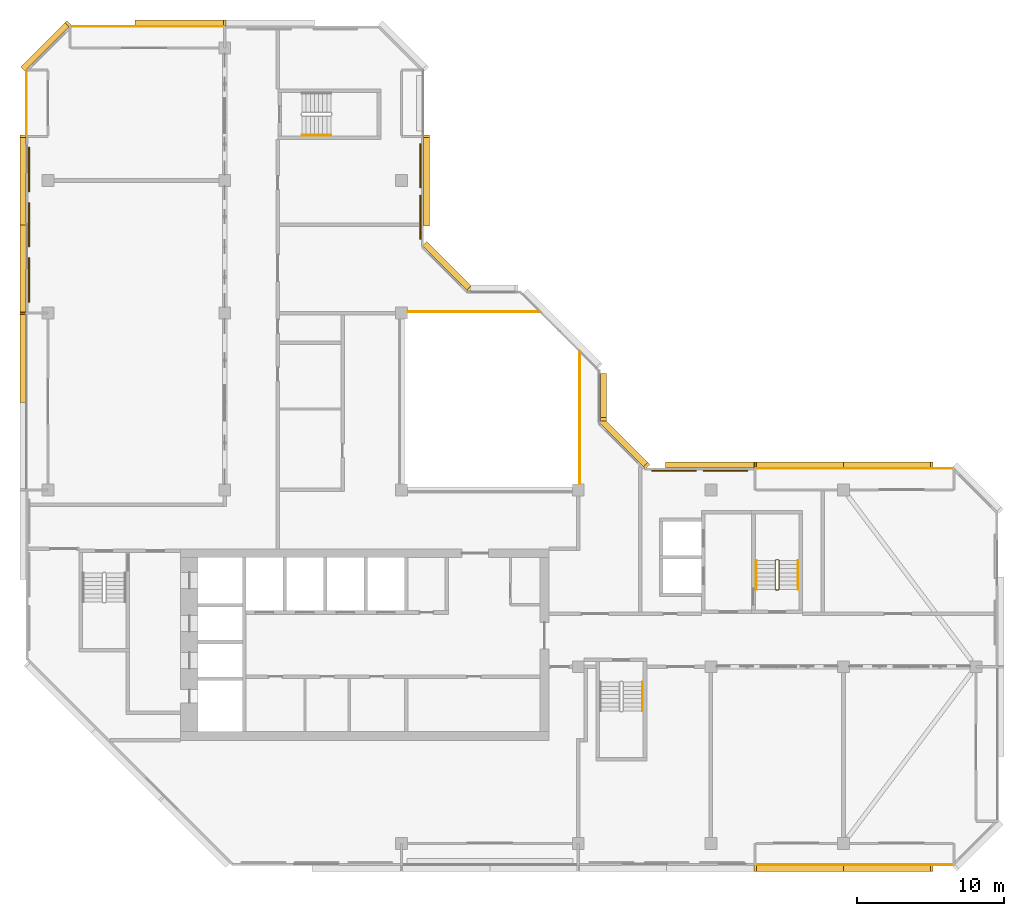
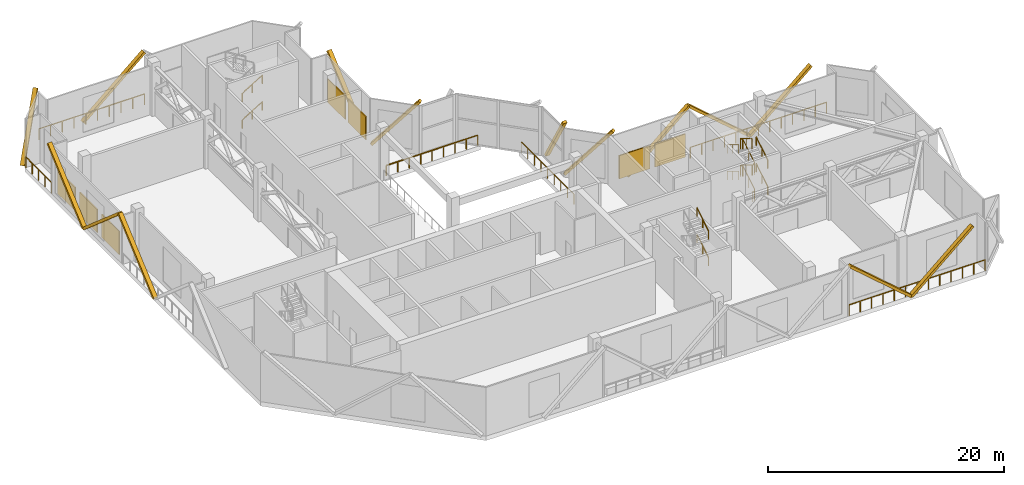
# One storey, part 12 of 13: 15 railings, 14 coverings, 7 shading devices.
"""IFC4 building model written with IfcOpenShell, lengths in metres."""

from ifc_helpers import new_model, si_unit, direction, frame, origin, origin_2d, place, context, subcontext, project, spatial, rectangle, extrude, material, material_profile, profile_set, type_object, element, save


model = new_model("IFC4")

# Units and contexts
model_context = context("Model", 3, precision=1e-05, world=origin(), true_north=direction((0.0, 1.0)))
body_context = subcontext(model_context, "Body", "Model", "MODEL_VIEW")
ifc_project = project(units=[si_unit("LENGTHUNIT", "METRE"), si_unit("AREAUNIT", "SQUARE_METRE"), si_unit("VOLUMEUNIT", "CUBIC_METRE"), si_unit("PLANEANGLEUNIT", "RADIAN"), si_unit("MASSUNIT", "GRAM", prefix="KILO")], contexts=[model_context])

# Site, building, storey
site_placement = place(None, origin())
site = spatial("IfcSite", under=ifc_project, at=site_placement, CompositionType="ELEMENT")
building_placement = place(site_placement, origin())
building = spatial("IfcBuilding", under=site, at=building_placement, Name="Chenar Terraces", CompositionType="ELEMENT")
storey_placement = place(building_placement, frame((0.0, 0.0, 322.14990234375)))
storey = spatial("IfcBuildingStorey", under=building, at=storey_placement, Name="L76", CompositionType="ELEMENT", Elevation=322.14990234375)

# Railings
ifc_material_1 = material(Name="Powder-coated steel", Category="steel")
railing_type_1 = type_object("IfcRailingType", Name="Guard 1100 steel rail with glass infill", PredefinedType="GUARDRAIL", material=ifc_material_1)
railing_1_placement = place(storey_placement, frame((24.449951171875, 36.10009765625, 0.0)))
element("IfcRailing", 1, at=railing_1_placement, inside=storey, type_object=railing_type_1, Name="Guard L76-2", PredefinedType="GUARDRAIL", context=body_context, shape_type="SweptSolid", body=[
    extrude(rectangle(XDim=0.06005859375, YDim=0.06005859375, at=origin_2d()), frame((0.0, 0.0, 1.070068359375), z_axis=(1.0, 0.0, 0.0), x_axis=(0.0, 1.0, 0.0)), (0.0, 0.0, 1.0), 8.949951171875),
    extrude(rectangle(XDim=0.050048828125, YDim=0.050048828125, at=origin_2d()), origin(), (0.0, 0.0, 1.0), 1.0400390625),
    extrude(rectangle(XDim=0.050048828125, YDim=0.050048828125, at=origin_2d()), frame((1.11865234375, 0.0, 0.0)), (0.0, 0.0, 1.0), 1.0400390625),
    extrude(rectangle(XDim=0.050048828125, YDim=0.050048828125, at=origin_2d()), frame((2.237548828125, 0.0, 0.0)), (0.0, 0.0, 1.0), 1.0400390625),
    extrude(rectangle(XDim=0.050048828125, YDim=0.050048828125, at=origin_2d()), frame((3.356201171875, 0.0, 0.0)), (0.0, 0.0, 1.0), 1.0400390625),
    extrude(rectangle(XDim=0.050048828125, YDim=0.050048828125, at=origin_2d()), frame((4.47509765625, 0.0, 0.0)), (0.0, 0.0, 1.0), 1.0400390625),
    extrude(rectangle(XDim=0.050048828125, YDim=0.050048828125, at=origin_2d()), frame((5.59375, 0.0, 0.0)), (0.0, 0.0, 1.0), 1.0400390625),
    extrude(rectangle(XDim=0.050048828125, YDim=0.050048828125, at=origin_2d()), frame((6.71240234375, 0.0, 0.0)), (0.0, 0.0, 1.0), 1.0400390625),
    extrude(rectangle(XDim=0.050048828125, YDim=0.050048828125, at=origin_2d()), frame((7.831298828125, 0.0, 0.0)), (0.0, 0.0, 1.0), 1.0400390625),
    extrude(rectangle(XDim=0.050048828125, YDim=0.050048828125, at=origin_2d()), frame((8.949951171875, 0.0, 0.0)), (0.0, 0.0, 1.0), 1.0400390625),
])
railing_2_placement = place(storey_placement, frame((36.10009765625, 24.449951171875, 0.0)))
element("IfcRailing", 2, at=railing_2_placement, inside=storey, type_object=railing_type_1, Name="Guard L76-3", PredefinedType="GUARDRAIL", context=body_context, shape_type="SweptSolid", body=[
    extrude(rectangle(XDim=0.06005859375, YDim=0.06005859375, at=origin_2d()), frame((0.0, 0.0, 1.070068359375), z_axis=(0.0, 1.0, 0.0), x_axis=(-1.0, 0.0, 0.0)), (0.0, 0.0, 1.0), 8.949951171875),
    extrude(rectangle(XDim=0.050048828125, YDim=0.050048828125, at=origin_2d()), origin(), (0.0, 0.0, 1.0), 1.0400390625),
    extrude(rectangle(XDim=0.050048828125, YDim=0.050048828125, at=origin_2d()), frame((0.0, 1.11865234375, 0.0)), (0.0, 0.0, 1.0), 1.0400390625),
    extrude(rectangle(XDim=0.050048828125, YDim=0.050048828125, at=origin_2d()), frame((0.0, 2.237548828125, 0.0)), (0.0, 0.0, 1.0), 1.0400390625),
    extrude(rectangle(XDim=0.050048828125, YDim=0.050048828125, at=origin_2d()), frame((0.0, 3.356201171875, 0.0)), (0.0, 0.0, 1.0), 1.0400390625),
    extrude(rectangle(XDim=0.050048828125, YDim=0.050048828125, at=origin_2d()), frame((0.0, 4.47509765625, 0.0)), (0.0, 0.0, 1.0), 1.0400390625),
    extrude(rectangle(XDim=0.050048828125, YDim=0.050048828125, at=origin_2d()), frame((0.0, 5.59375, 0.0)), (0.0, 0.0, 1.0), 1.0400390625),
    extrude(rectangle(XDim=0.050048828125, YDim=0.050048828125, at=origin_2d()), frame((0.0, 6.71240234375, 0.0)), (0.0, 0.0, 1.0), 1.0400390625),
    extrude(rectangle(XDim=0.050048828125, YDim=0.050048828125, at=origin_2d()), frame((0.0, 7.831298828125, 0.0)), (0.0, 0.0, 1.0), 1.0400390625),
    extrude(rectangle(XDim=0.050048828125, YDim=0.050048828125, at=origin_2d()), frame((0.0, 8.949951171875, 0.0)), (0.0, 0.0, 1.0), 1.0400390625),
])
ifc_material_2 = material(Name="Stainless steel and glass", Category="steel")
railing_type_2 = type_object("IfcRailingType", Name="Loggia guard 1150", PredefinedType="GUARDRAIL", material=ifc_material_2)
railing_3_placement = place(storey_placement, frame((61.425048828125, 25.449951171875, 0.0)))
element("IfcRailing", 3, at=railing_3_placement, inside=storey, type_object=railing_type_2, Name="Loggia guard", PredefinedType="GUARDRAIL", context=body_context, shape_type="SweptSolid", body=[
    extrude(rectangle(XDim=0.048095703125, YDim=0.048095703125, at=origin_2d()), frame((0.0, 0.0, 1.1259765625), z_axis=(-1.0, 0.0, 0.0), x_axis=(0.0, -1.0, 0.0)), (0.0, 0.0, 1.0), 13.35009765625),
    extrude(rectangle(XDim=0.0419921875, YDim=0.0419921875, at=origin_2d()), origin(), (0.0, 0.0, 1.0), 1.101806640625),
    extrude(rectangle(XDim=0.0419921875, YDim=0.0419921875, at=origin_2d()), frame((-1.112548828125, 0.0, 0.0)), (0.0, 0.0, 1.0), 1.101806640625),
    extrude(rectangle(XDim=0.0419921875, YDim=0.0419921875, at=origin_2d()), frame((-2.22509765625, 0.0, 0.0)), (0.0, 0.0, 1.0), 1.101806640625),
    extrude(rectangle(XDim=0.0419921875, YDim=0.0419921875, at=origin_2d()), frame((-3.33740234375, 0.0, 0.0)), (0.0, 0.0, 1.0), 1.101806640625),
    extrude(rectangle(XDim=0.0419921875, YDim=0.0419921875, at=origin_2d()), frame((-4.449951171875, 0.0, 0.0)), (0.0, 0.0, 1.0), 1.101806640625),
    extrude(rectangle(XDim=0.0419921875, YDim=0.0419921875, at=origin_2d()), frame((-5.5625, 0.0, 0.0)), (0.0, 0.0, 1.0), 1.101806640625),
    extrude(rectangle(XDim=0.0419921875, YDim=0.0419921875, at=origin_2d()), frame((-6.675048828125, 0.0, 0.0)), (0.0, 0.0, 1.0), 1.101806640625),
    extrude(rectangle(XDim=0.0419921875, YDim=0.0419921875, at=origin_2d()), frame((-7.78759765625, 0.0, 0.0)), (0.0, 0.0, 1.0), 1.101806640625),
    extrude(rectangle(XDim=0.0419921875, YDim=0.0419921875, at=origin_2d()), frame((-8.900146484375, 0.0, 0.0)), (0.0, 0.0, 1.0), 1.101806640625),
    extrude(rectangle(XDim=0.0419921875, YDim=0.0419921875, at=origin_2d()), frame((-10.0126953125, 0.0, 0.0)), (0.0, 0.0, 1.0), 1.101806640625),
    extrude(rectangle(XDim=0.0419921875, YDim=0.0419921875, at=origin_2d()), frame((-11.125, 0.0, 0.0)), (0.0, 0.0, 1.0), 1.101806640625),
    extrude(rectangle(XDim=0.0419921875, YDim=0.0419921875, at=origin_2d()), frame((-12.237548828125, 0.0, 0.0)), (0.0, 0.0, 1.0), 1.101806640625),
    extrude(rectangle(XDim=0.0419921875, YDim=0.0419921875, at=origin_2d()), frame((-13.35009765625, 0.0, 0.0)), (0.0, 0.0, 1.0), 1.101806640625),
])
railing_4_placement = place(storey_placement, frame((11.925048828125, 55.449951171875, 0.0)))
element("IfcRailing", 4, at=railing_4_placement, inside=storey, type_object=railing_type_2, Name="Loggia guard", PredefinedType="GUARDRAIL", context=body_context, shape_type="SweptSolid", body=[
    extrude(rectangle(XDim=0.048095703125, YDim=0.048095703125, at=origin_2d()), frame((0.0, 0.0, 1.1259765625), z_axis=(-1.0, 0.0, 0.0), x_axis=(0.0, -1.0, 0.0)), (0.0, 0.0, 1.0), 10.35009765625),
    extrude(rectangle(XDim=0.0419921875, YDim=0.0419921875, at=origin_2d()), origin(), (0.0, 0.0, 1.0), 1.101806640625),
    extrude(rectangle(XDim=0.0419921875, YDim=0.0419921875, at=origin_2d()), frame((-1.14990234375, 0.0, 0.0)), (0.0, 0.0, 1.0), 1.101806640625),
    extrude(rectangle(XDim=0.0419921875, YDim=0.0419921875, at=origin_2d()), frame((-2.300048828125, 0.0, 0.0)), (0.0, 0.0, 1.0), 1.101806640625),
    extrude(rectangle(XDim=0.0419921875, YDim=0.0419921875, at=origin_2d()), frame((-3.449951171875, 0.0, 0.0)), (0.0, 0.0, 1.0), 1.101806640625),
    extrude(rectangle(XDim=0.0419921875, YDim=0.0419921875, at=origin_2d()), frame((-4.60009765625, 0.0, 0.0)), (0.0, 0.0, 1.0), 1.101806640625),
    extrude(rectangle(XDim=0.0419921875, YDim=0.0419921875, at=origin_2d()), frame((-5.75, 0.0, 0.0)), (0.0, 0.0, 1.0), 1.101806640625),
    extrude(rectangle(XDim=0.0419921875, YDim=0.0419921875, at=origin_2d()), frame((-6.900146484375, 0.0, 0.0)), (0.0, 0.0, 1.0), 1.101806640625),
    extrude(rectangle(XDim=0.0419921875, YDim=0.0419921875, at=origin_2d()), frame((-8.050048828125, 0.0, 0.0)), (0.0, 0.0, 1.0), 1.101806640625),
    extrude(rectangle(XDim=0.0419921875, YDim=0.0419921875, at=origin_2d()), frame((-9.2001953125, 0.0, 0.0)), (0.0, 0.0, 1.0), 1.101806640625),
    extrude(rectangle(XDim=0.0419921875, YDim=0.0419921875, at=origin_2d()), frame((-10.35009765625, 0.0, 0.0)), (0.0, 0.0, 1.0), 1.101806640625),
])
railing_5_placement = place(storey_placement, frame((48.074951171875, -1.449951171875, 0.0)))
element("IfcRailing", 5, at=railing_5_placement, inside=storey, type_object=railing_type_2, Name="Loggia guard", PredefinedType="GUARDRAIL", context=body_context, shape_type="SweptSolid", body=[
    extrude(rectangle(XDim=0.048095703125, YDim=0.048095703125, at=origin_2d()), frame((0.0, 0.0, 1.1259765625), z_axis=(1.0, 0.0, 0.0), x_axis=(0.0, 1.0, 0.0)), (0.0, 0.0, 1.0), 13.35009765625),
    extrude(rectangle(XDim=0.0419921875, YDim=0.0419921875, at=origin_2d()), origin(), (0.0, 0.0, 1.0), 1.101806640625),
    extrude(rectangle(XDim=0.0419921875, YDim=0.0419921875, at=origin_2d()), frame((1.112548828125, 0.0, 0.0)), (0.0, 0.0, 1.0), 1.101806640625),
    extrude(rectangle(XDim=0.0419921875, YDim=0.0419921875, at=origin_2d()), frame((2.22509765625, 0.0, 0.0)), (0.0, 0.0, 1.0), 1.101806640625),
    extrude(rectangle(XDim=0.0419921875, YDim=0.0419921875, at=origin_2d()), frame((3.33740234375, 0.0, 0.0)), (0.0, 0.0, 1.0), 1.101806640625),
    extrude(rectangle(XDim=0.0419921875, YDim=0.0419921875, at=origin_2d()), frame((4.449951171875, 0.0, 0.0)), (0.0, 0.0, 1.0), 1.101806640625),
    extrude(rectangle(XDim=0.0419921875, YDim=0.0419921875, at=origin_2d()), frame((5.5625, 0.0, 0.0)), (0.0, 0.0, 1.0), 1.101806640625),
    extrude(rectangle(XDim=0.0419921875, YDim=0.0419921875, at=origin_2d()), frame((6.675048828125, 0.0, 0.0)), (0.0, 0.0, 1.0), 1.101806640625),
    extrude(rectangle(XDim=0.0419921875, YDim=0.0419921875, at=origin_2d()), frame((7.78759765625, 0.0, 0.0)), (0.0, 0.0, 1.0), 1.101806640625),
    extrude(rectangle(XDim=0.0419921875, YDim=0.0419921875, at=origin_2d()), frame((8.900146484375, 0.0, 0.0)), (0.0, 0.0, 1.0), 1.101806640625),
    extrude(rectangle(XDim=0.0419921875, YDim=0.0419921875, at=origin_2d()), frame((10.0126953125, 0.0, 0.0)), (0.0, 0.0, 1.0), 1.101806640625),
    extrude(rectangle(XDim=0.0419921875, YDim=0.0419921875, at=origin_2d()), frame((11.125, 0.0, 0.0)), (0.0, 0.0, 1.0), 1.101806640625),
    extrude(rectangle(XDim=0.0419921875, YDim=0.0419921875, at=origin_2d()), frame((12.237548828125, 0.0, 0.0)), (0.0, 0.0, 1.0), 1.101806640625),
    extrude(rectangle(XDim=0.0419921875, YDim=0.0419921875, at=origin_2d()), frame((13.35009765625, 0.0, 0.0)), (0.0, 0.0, 1.0), 1.101806640625),
])
railing_6_placement = place(storey_placement, frame((-1.449951171875, 52.425048828125, 0.0)))
element("IfcRailing", 6, at=railing_6_placement, inside=storey, type_object=railing_type_2, Name="Loggia guard", PredefinedType="GUARDRAIL", context=body_context, shape_type="SweptSolid", body=[
    extrude(rectangle(XDim=0.048095703125, YDim=0.048095703125, at=origin_2d()), frame((0.0, 0.0, 1.1259765625), z_axis=(0.0, -1.0, 0.0), x_axis=(1.0, 0.0, 0.0)), (0.0, 0.0, 1.0), 4.35009765625),
    extrude(rectangle(XDim=0.0419921875, YDim=0.0419921875, at=origin_2d()), origin(), (0.0, 0.0, 1.0), 1.101806640625),
    extrude(rectangle(XDim=0.0419921875, YDim=0.0419921875, at=origin_2d()), frame((0.0, -1.08740234375, 0.0)), (0.0, 0.0, 1.0), 1.101806640625),
    extrude(rectangle(XDim=0.0419921875, YDim=0.0419921875, at=origin_2d()), frame((0.0, -2.175048828125, 0.0)), (0.0, 0.0, 1.0), 1.101806640625),
    extrude(rectangle(XDim=0.0419921875, YDim=0.0419921875, at=origin_2d()), frame((0.0, -3.2626953125, 0.0)), (0.0, 0.0, 1.0), 1.101806640625),
    extrude(rectangle(XDim=0.0419921875, YDim=0.0419921875, at=origin_2d()), frame((0.0, -4.35009765625, 0.0)), (0.0, 0.0, 1.0), 1.101806640625),
])

# Shading devices
ifc_material_3 = material(Name="Powder-coated steel", Category="steel")
shading_device_type = type_object("IfcShadingDeviceType", Name="Sand-proof louvre bank 3000 x 2400", PredefinedType="USERDEFINED", material=ifc_material_3)
for number, where, z_axis, x_axis, name in (
    (7, (25.300048828125, 42.5, 0.4501953125), (0.0, 0.0, 1.0), (0.0, 1.0, 0.0), "Sand-proof louvre bank"),
    (8, (25.300048828125, 46.0, 0.4501953125), (0.0, 0.0, 1.0), (0.0, 1.0, 0.0), "Sand-proof louvre bank"),
    (9, (46.0, 25.300048828125, 0.4501953125), (0.0, 0.0, 1.0), (-1.0, 0.0, 0.0), "Sand-proof louvre bank"),
    (10, (42.5, 25.300048828125, 0.4501953125), (0.0, 0.0, 1.0), (-1.0, 0.0, 0.0), "Sand-proof louvre bank"),
    (11, (-1.300048828125, 45.75, 0.4501953125), (0.0, 0.0, 1.0), (0.0, -1.0, 0.0), "Sand-proof louvre bank"),
    (12, (-1.300048828125, 42.0, 0.4501953125), (0.0, 0.0, 1.0), (0.0, -1.0, 0.0), "Sand-proof louvre bank"),
    (13, (-1.300048828125, 38.25, 0.4501953125), (0.0, 0.0, 1.0), (0.0, -1.0, 0.0), "Sand-proof louvre bank"),
):
    element("IfcShadingDevice", number, at=place(storey_placement, frame(where, z_axis=z_axis, x_axis=x_axis)), inside=storey, type_object=shading_device_type, Name=name, ObjectType="LOUVRE", PredefinedType="USERDEFINED", context=body_context, shape_type="SweptSolid", body=[
        extrude(rectangle(XDim=3.0, YDim=0.10009765625, at=origin_2d()), origin(), (0.0, 0.0, 1.0), 2.39990234375),
    ])

# Railings
ifc_material_4 = material(Name="Powder-coated steel", Category="steel")
railing_type_3 = type_object("IfcRailingType", Name="Stair guard 1100", PredefinedType="GUARDRAIL", material=ifc_material_4)
railing_7_placement = place(storey_placement, frame((49.375, 17.25, 5.5)))
element("IfcRailing", 14, at=railing_7_placement, inside=storey, type_object=railing_type_3, Name="L76 ST3 stair guard 1", PredefinedType="GUARDRAIL", context=body_context, shape_type="SweptSolid", body=[
    extrude(rectangle(XDim=0.048095703125, YDim=0.048095703125, at=origin_2d()), frame((0.0, 0.0, 1.076171875), z_axis=(0.0, 0.852240978134, -0.523149419562), x_axis=(-1.0, 0.0, 0.0)), (0.0, 0.0, 1.0), 2.2998046875),
    extrude(rectangle(XDim=0.048095703125, YDim=0.048095703125, at=origin_2d()), frame((0.0, 1.9599609375, -0.126953125), z_axis=(0.269255725606, 0.269255725606, -0.92466356501), x_axis=(-0.707106781187, 0.707106781187, 0.0)), (0.0, 0.0, 1.0), 0.185791015625),
    extrude(rectangle(XDim=0.048095703125, YDim=0.048095703125, at=origin_2d()), frame((0.050048828125, 2.010009765625, -0.298828125), z_axis=(1.0, 0.0, 0.0), x_axis=(0.0, 1.0, 0.0)), (0.0, 0.0, 1.0), 0.14990234375),
    extrude(rectangle(XDim=0.048095703125, YDim=0.048095703125, at=origin_2d()), frame((0.199951171875, 2.010009765625, -0.298828125), z_axis=(0.707106781187, -0.707106781187, 0.0), x_axis=(0.707106781187, 0.707106781187, 0.0)), (0.0, 0.0, 1.0), 0.07080078125),
    extrude(rectangle(XDim=0.048095703125, YDim=0.048095703125, at=origin_2d()), frame((0.25, 1.9599609375, -0.298828125), z_axis=(0.0, -0.852240978134, -0.523149419562), x_axis=(1.0, 0.0, 0.0)), (0.0, 0.0, 1.0), 2.2998046875),
    extrude(rectangle(XDim=0.048095703125, YDim=0.048095703125, at=origin_2d()), frame((0.25, 0.0, -1.501953125), z_axis=(-0.745037588186, -0.186486819998, -0.640423030626), x_axis=(0.242814311512, -0.970072785993, 0.0)), (0.0, 0.0, 1.0), 0.268310546875),
    extrude(rectangle(XDim=0.048095703125, YDim=0.048095703125, at=origin_2d()), frame((0.050048828125, -0.050048828125, -1.673828125), z_axis=(1.0, 0.0, 0.0), x_axis=(0.0, 1.0, 0.0)), (0.0, 0.0, 1.0), 0.14990234375),
    extrude(rectangle(XDim=0.048095703125, YDim=0.048095703125, at=origin_2d()), frame((0.199951171875, -0.050048828125, -1.673828125), z_axis=(-0.970072785993, 0.242814311512, 0.0), x_axis=(-0.242814311512, -0.970072785993, 0.0)), (0.0, 0.0, 1.0), 0.2060546875),
    extrude(rectangle(XDim=0.048095703125, YDim=0.048095703125, at=origin_2d()), frame((0.0, 0.0, -1.673828125), z_axis=(0.0, 0.852240978134, -0.523149419562), x_axis=(-1.0, 0.0, 0.0)), (0.0, 0.0, 1.0), 2.2998046875),
    extrude(rectangle(XDim=0.048095703125, YDim=0.048095703125, at=origin_2d()), frame((0.0, 1.9599609375, -2.876953125), z_axis=(0.269255725606, 0.269255725606, -0.92466356501), x_axis=(-0.707106781187, 0.707106781187, 0.0)), (0.0, 0.0, 1.0), 0.185791015625),
    extrude(rectangle(XDim=0.048095703125, YDim=0.048095703125, at=origin_2d()), frame((0.050048828125, 2.010009765625, -3.048828125), z_axis=(1.0, 0.0, 0.0), x_axis=(0.0, 1.0, 0.0)), (0.0, 0.0, 1.0), 0.14990234375),
    extrude(rectangle(XDim=0.048095703125, YDim=0.048095703125, at=origin_2d()), frame((0.199951171875, 2.010009765625, -3.048828125), z_axis=(0.707106781187, -0.707106781187, 0.0), x_axis=(0.707106781187, 0.707106781187, 0.0)), (0.0, 0.0, 1.0), 0.07080078125),
    extrude(rectangle(XDim=0.048095703125, YDim=0.048095703125, at=origin_2d()), frame((0.25, 1.9599609375, -3.048828125), z_axis=(0.0, -0.852240978134, -0.523149419562), x_axis=(1.0, 0.0, 0.0)), (0.0, 0.0, 1.0), 2.2998046875),
    extrude(rectangle(XDim=0.048095703125, YDim=0.048095703125, at=origin_2d()), frame((0.25, 0.0, -4.251953125), z_axis=(-0.269255725606, -0.269255725606, -0.92466356501), x_axis=(0.707106781187, -0.707106781187, 0.0)), (0.0, 0.0, 1.0), 0.185791015625),
    extrude(rectangle(XDim=0.048095703125, YDim=0.048095703125, at=origin_2d()), frame((0.199951171875, -0.050048828125, -4.423828125), z_axis=(-1.0, 0.0, 0.0), x_axis=(0.0, -1.0, 0.0)), (0.0, 0.0, 1.0), 0.14990234375),
    extrude(rectangle(XDim=0.0419921875, YDim=0.0419921875, at=origin_2d()), origin(), (0.0, 0.0, 1.0), 1.052001953125),
    extrude(rectangle(XDim=0.0419921875, YDim=0.0419921875, at=origin_2d()), frame((0.0, 0.97998046875, -0.6015625)), (0.0, 0.0, 1.0), 1.052001953125),
    extrude(rectangle(XDim=0.0419921875, YDim=0.0419921875, at=origin_2d()), frame((0.0, 1.9599609375, -1.203125)), (0.0, 0.0, 1.0), 1.052001953125),
    extrude(rectangle(XDim=0.0419921875, YDim=0.0419921875, at=origin_2d()), frame((0.050048828125, 2.010009765625, -1.375)), (0.0, 0.0, 1.0), 1.052001953125),
    extrude(rectangle(XDim=0.0419921875, YDim=0.0419921875, at=origin_2d()), frame((0.199951171875, 2.010009765625, -1.375)), (0.0, 0.0, 1.0), 1.052001953125),
    extrude(rectangle(XDim=0.0419921875, YDim=0.0419921875, at=origin_2d()), frame((0.25, 1.9599609375, -1.375)), (0.0, 0.0, 1.0), 1.052001953125),
    extrude(rectangle(XDim=0.0419921875, YDim=0.0419921875, at=origin_2d()), frame((0.25, 0.97998046875, -1.9765625)), (0.0, 0.0, 1.0), 1.052001953125),
    extrude(rectangle(XDim=0.0419921875, YDim=0.0419921875, at=origin_2d()), frame((0.25, 0.0, -2.578125)), (0.0, 0.0, 1.0), 1.052001953125),
    extrude(rectangle(XDim=0.0419921875, YDim=0.0419921875, at=origin_2d()), frame((0.050048828125, -0.050048828125, -2.75)), (0.0, 0.0, 1.0), 1.052001953125),
    extrude(rectangle(XDim=0.0419921875, YDim=0.0419921875, at=origin_2d()), frame((0.199951171875, -0.050048828125, -2.75)), (0.0, 0.0, 1.0), 1.052001953125),
    extrude(rectangle(XDim=0.0419921875, YDim=0.0419921875, at=origin_2d()), frame((0.0, 0.0, -2.75)), (0.0, 0.0, 1.0), 1.052001953125),
    extrude(rectangle(XDim=0.0419921875, YDim=0.0419921875, at=origin_2d()), frame((0.0, 0.97998046875, -3.3515625)), (0.0, 0.0, 1.0), 1.052001953125),
    extrude(rectangle(XDim=0.0419921875, YDim=0.0419921875, at=origin_2d()), frame((0.0, 1.9599609375, -3.953125)), (0.0, 0.0, 1.0), 1.052001953125),
    extrude(rectangle(XDim=0.0419921875, YDim=0.0419921875, at=origin_2d()), frame((0.050048828125, 2.010009765625, -4.125)), (0.0, 0.0, 1.0), 1.052001953125),
    extrude(rectangle(XDim=0.0419921875, YDim=0.0419921875, at=origin_2d()), frame((0.199951171875, 2.010009765625, -4.125)), (0.0, 0.0, 1.0), 1.052001953125),
    extrude(rectangle(XDim=0.0419921875, YDim=0.0419921875, at=origin_2d()), frame((0.25, 1.9599609375, -4.125)), (0.0, 0.0, 1.0), 1.052001953125),
    extrude(rectangle(XDim=0.0419921875, YDim=0.0419921875, at=origin_2d()), frame((0.25, 0.97998046875, -4.7265625)), (0.0, 0.0, 1.0), 1.052001953125),
    extrude(rectangle(XDim=0.0419921875, YDim=0.0419921875, at=origin_2d()), frame((0.25, 0.0, -5.328125)), (0.0, 0.0, 1.0), 1.052001953125),
    extrude(rectangle(XDim=0.0419921875, YDim=0.0419921875, at=origin_2d()), frame((0.199951171875, -0.050048828125, -5.5)), (0.0, 0.0, 1.0), 1.052001953125),
    extrude(rectangle(XDim=0.0419921875, YDim=0.0419921875, at=origin_2d()), frame((0.050048828125, -0.050048828125, -5.5)), (0.0, 0.0, 1.0), 1.052001953125),
])
ifc_material_5 = material(Name="Powder-coated steel", Category="steel")
railing_type_4 = type_object("IfcRailingType", Name="Stair handrail 900", PredefinedType="HANDRAIL", material=ifc_material_5)
for number, where, name in (
    (15, (40.35009765625, 8.989990234375, 1.546875), "L76 ST2 stair handrail 2"),
    (16, (40.35009765625, 8.989990234375, 4.296875), "L76 ST2 stair handrail 4"),
    (17, (50.925048828125, 17.25, 0.171875), "L76 ST3 stair handrail 1"),
):
    element("IfcRailing", number, at=place(storey_placement, frame(where)), inside=storey, type_object=railing_type_4, Name=name, PredefinedType="HANDRAIL", context=body_context, shape_type="SweptSolid", body=[
        extrude(rectangle(XDim=0.048095703125, YDim=0.048095703125, at=origin_2d()), frame((0.0, 0.0, 0.8759765625), z_axis=(0.0, 0.852240978134, 0.523149419562), x_axis=(-1.0, 0.0, 0.0)), (0.0, 0.0, 1.0), 2.2998046875),
        extrude(rectangle(XDim=0.0419921875, YDim=0.0419921875, at=origin_2d()), origin(), (0.0, 0.0, 1.0), 0.851806640625),
        extrude(rectangle(XDim=0.0419921875, YDim=0.0419921875, at=origin_2d()), frame((0.0, 0.97998046875, 0.6015625)), (0.0, 0.0, 1.0), 0.851806640625),
        extrude(rectangle(XDim=0.0419921875, YDim=0.0419921875, at=origin_2d()), frame((0.0, 1.9599609375, 1.203125)), (0.0, 0.0, 1.0), 0.851806640625),
    ])
railing_8_placement = place(storey_placement, frame((48.074951171875, 19.2099609375, 1.546875)))
element("IfcRailing", 18, at=railing_8_placement, inside=storey, type_object=railing_type_4, Name="L76 ST3 stair handrail 2", PredefinedType="HANDRAIL", context=body_context, shape_type="SweptSolid", body=[
    extrude(rectangle(XDim=0.048095703125, YDim=0.048095703125, at=origin_2d()), frame((0.0, 0.0, 0.8759765625), z_axis=(0.0, -0.852240978134, 0.523149419562), x_axis=(1.0, 0.0, 0.0)), (0.0, 0.0, 1.0), 2.2998046875),
    extrude(rectangle(XDim=0.0419921875, YDim=0.0419921875, at=origin_2d()), origin(), (0.0, 0.0, 1.0), 0.851806640625),
    extrude(rectangle(XDim=0.0419921875, YDim=0.0419921875, at=origin_2d()), frame((0.0, -0.97998046875, 0.6015625)), (0.0, 0.0, 1.0), 0.851806640625),
    extrude(rectangle(XDim=0.0419921875, YDim=0.0419921875, at=origin_2d()), frame((0.0, -1.9599609375, 1.203125)), (0.0, 0.0, 1.0), 0.851806640625),
])
railing_9_placement = place(storey_placement, frame((50.925048828125, 17.25, 2.921875)))
element("IfcRailing", 19, at=railing_9_placement, inside=storey, type_object=railing_type_4, Name="L76 ST3 stair handrail 3", PredefinedType="HANDRAIL", context=body_context, shape_type="SweptSolid", body=[
    extrude(rectangle(XDim=0.048095703125, YDim=0.048095703125, at=origin_2d()), frame((0.0, 0.0, 0.8759765625), z_axis=(0.0, 0.852240978134, 0.523149419562), x_axis=(-1.0, 0.0, 0.0)), (0.0, 0.0, 1.0), 2.2998046875),
    extrude(rectangle(XDim=0.0419921875, YDim=0.0419921875, at=origin_2d()), origin(), (0.0, 0.0, 1.0), 0.851806640625),
    extrude(rectangle(XDim=0.0419921875, YDim=0.0419921875, at=origin_2d()), frame((0.0, 0.97998046875, 0.6015625)), (0.0, 0.0, 1.0), 0.851806640625),
    extrude(rectangle(XDim=0.0419921875, YDim=0.0419921875, at=origin_2d()), frame((0.0, 1.9599609375, 1.203125)), (0.0, 0.0, 1.0), 0.851806640625),
])
railing_10_placement = place(storey_placement, frame((48.074951171875, 19.2099609375, 4.296875)))
element("IfcRailing", 20, at=railing_10_placement, inside=storey, type_object=railing_type_4, Name="L76 ST3 stair handrail 4", PredefinedType="HANDRAIL", context=body_context, shape_type="SweptSolid", body=[
    extrude(rectangle(XDim=0.048095703125, YDim=0.048095703125, at=origin_2d()), frame((0.0, 0.0, 0.8759765625), z_axis=(0.0, -0.852240978134, 0.523149419562), x_axis=(1.0, 0.0, 0.0)), (0.0, 0.0, 1.0), 2.2998046875),
    extrude(rectangle(XDim=0.0419921875, YDim=0.0419921875, at=origin_2d()), origin(), (0.0, 0.0, 1.0), 0.851806640625),
    extrude(rectangle(XDim=0.0419921875, YDim=0.0419921875, at=origin_2d()), frame((0.0, -0.97998046875, 0.6015625)), (0.0, 0.0, 1.0), 0.851806640625),
    extrude(rectangle(XDim=0.0419921875, YDim=0.0419921875, at=origin_2d()), frame((0.0, -1.9599609375, 1.203125)), (0.0, 0.0, 1.0), 0.851806640625),
])
for number, where, name in (
    (21, (17.25, 48.074951171875, 0.171875), "L76 ST4 stair handrail 1"),
    (22, (17.25, 48.074951171875, 2.921875), "L76 ST4 stair handrail 3"),
):
    element("IfcRailing", number, at=place(storey_placement, frame(where)), inside=storey, type_object=railing_type_4, Name=name, PredefinedType="HANDRAIL", context=body_context, shape_type="SweptSolid", body=[
        extrude(rectangle(XDim=0.048095703125, YDim=0.048095703125, at=origin_2d()), frame((0.0, 0.0, 0.8759765625), z_axis=(0.852240978134, 0.0, 0.523149419562), x_axis=(0.0, 1.0, 0.0)), (0.0, 0.0, 1.0), 2.2998046875),
        extrude(rectangle(XDim=0.0419921875, YDim=0.0419921875, at=origin_2d()), origin(), (0.0, 0.0, 1.0), 0.851806640625),
        extrude(rectangle(XDim=0.0419921875, YDim=0.0419921875, at=origin_2d()), frame((0.97998046875, 0.0, 0.6015625)), (0.0, 0.0, 1.0), 0.851806640625),
        extrude(rectangle(XDim=0.0419921875, YDim=0.0419921875, at=origin_2d()), frame((1.9599609375, 0.0, 1.203125)), (0.0, 0.0, 1.0), 0.851806640625),
    ])

# Coverings
ifc_material_6 = material(Name="Terracotta", Category="masonry")
ifc_material_profile = material_profile(ifc_material_6, rectangle(XDim=0.39990234375, YDim=0.25, at=origin_2d()), Name="Terracotta baguette 400 x 250")
ifc_profile_set = profile_set([ifc_material_profile], Name="Terracotta")
covering_type = type_object("IfcCoveringType", Name="Terracotta baguette 400 x 250", PredefinedType="CLADDING", material=ifc_profile_set)
for number, where, z_axis, x_axis, name in (
    (23, (60.0, 25.699951171875, 5.35009765625), (-0.755692126483, 0.0, -0.654927026447), (0.0, -1.0, 0.0), "Terracotta baguette"),
    (24, (54.0, 25.699951171875, 0.150146484375), (-0.755692126483, 0.0, 0.654927026447), (0.0, -1.0, 0.0), "Terracotta baguette"),
    (25, (48.0, 25.699951171875, 5.35009765625), (-0.755692126483, 0.0, -0.654927026447), (0.0, -1.0, 0.0), "Terracotta baguette"),
):
    element("IfcCovering", number, at=place(storey_placement, frame(where, z_axis=z_axis, x_axis=x_axis)), inside=storey, type_object=covering_type, Name=name, PredefinedType="CLADDING", context=body_context, shape_type="SweptSolid", body=[
        extrude(rectangle(XDim=0.39990234375, YDim=0.25, at=origin_2d()), origin(), (0.0, 0.0, 1.0), 7.939697265625),
    ])
covering_1_placement = place(storey_placement, frame((40.641357421875, 25.641357421875, 5.35009765625), z_axis=(-0.447017486301, 0.447017486301, -0.774823033913), x_axis=(-0.707106781187, -0.707106781187, 0.0)))
element("IfcCovering", 26, at=covering_1_placement, inside=storey, type_object=covering_type, Name="Terracotta baguette", PredefinedType="CLADDING", context=body_context, shape_type="SweptSolid", body=[
    extrude(rectangle(XDim=0.39990234375, YDim=0.25, at=origin_2d()), origin(), (0.0, 0.0, 1.0), 6.711181640625),
])
covering_2_placement = place(storey_placement, frame((37.699951171875, 28.800048828125, 5.35009765625), z_axis=(0.0, 0.499725974117, -0.866183554908), x_axis=(-1.0, 0.0, 0.0)))
element("IfcCovering", 27, at=covering_2_placement, inside=storey, type_object=covering_type, Name="Terracotta baguette", PredefinedType="CLADDING", context=body_context, shape_type="SweptSolid", body=[
    extrude(rectangle(XDim=0.39990234375, YDim=0.25, at=origin_2d()), origin(), (0.0, 0.0, 1.0), 6.003173828125),
])
covering_3_placement = place(storey_placement, frame((28.641357421875, 37.641357421875, 5.35009765625), z_axis=(-0.447017486301, 0.447017486301, -0.774823033913), x_axis=(-0.707106781187, -0.707106781187, 0.0)))
element("IfcCovering", 28, at=covering_3_placement, inside=storey, type_object=covering_type, Name="Terracotta baguette", PredefinedType="CLADDING", context=body_context, shape_type="SweptSolid", body=[
    extrude(rectangle(XDim=0.39990234375, YDim=0.25, at=origin_2d()), origin(), (0.0, 0.0, 1.0), 6.711181640625),
])
for number, where, z_axis, x_axis, name in (
    (29, (25.699951171875, 42.0, 0.150146484375), (0.0, 0.755692126483, 0.654927026447), (-1.0, 0.0, 0.0), "Terracotta baguette"),
    (30, (12.0, 55.699951171875, 5.35009765625), (-0.755692126483, 0.0, -0.654927026447), (0.0, -1.0, 0.0), "Terracotta baguette"),
):
    element("IfcCovering", number, at=place(storey_placement, frame(where, z_axis=z_axis, x_axis=x_axis)), inside=storey, type_object=covering_type, Name=name, PredefinedType="CLADDING", context=body_context, shape_type="SweptSolid", body=[
        extrude(rectangle(XDim=0.39990234375, YDim=0.25, at=origin_2d()), origin(), (0.0, 0.0, 1.0), 7.939697265625),
    ])
covering_4_placement = place(storey_placement, frame((1.358642578125, 55.641357421875, 5.35009765625), z_axis=(-0.447017486301, -0.447017486301, -0.774823033913), x_axis=(0.707106781187, -0.707106781187, 0.0)))
element("IfcCovering", 31, at=covering_4_placement, inside=storey, type_object=covering_type, Name="Terracotta baguette", PredefinedType="CLADDING", context=body_context, shape_type="SweptSolid", body=[
    extrude(rectangle(XDim=0.39990234375, YDim=0.25, at=origin_2d()), origin(), (0.0, 0.0, 1.0), 6.711181640625),
])
for number, where, z_axis, x_axis, name in (
    (32, (-1.699951171875, 48.0, 5.35009765625), (0.0, -0.755692126483, -0.654927026447), (1.0, 0.0, 0.0), "Terracotta baguette"),
    (33, (-1.699951171875, 42.0, 0.150146484375), (0.0, -0.755692126483, 0.654927026447), (1.0, 0.0, 0.0), "Terracotta baguette"),
    (34, (-1.699951171875, 36.0, 5.35009765625), (0.0, -0.755692126483, -0.654927026447), (1.0, 0.0, 0.0), "Terracotta baguette"),
    (35, (48.0, -1.699951171875, 5.35009765625), (0.755692126483, 0.0, -0.654927026447), (0.0, 1.0, 0.0), "Terracotta baguette"),
    (36, (54.0, -1.699951171875, 0.150146484375), (0.755692126483, 0.0, 0.654927026447), (0.0, 1.0, 0.0), "Terracotta baguette"),
):
    element("IfcCovering", number, at=place(storey_placement, frame(where, z_axis=z_axis, x_axis=x_axis)), inside=storey, type_object=covering_type, Name=name, PredefinedType="CLADDING", context=body_context, shape_type="SweptSolid", body=[
        extrude(rectangle(XDim=0.39990234375, YDim=0.25, at=origin_2d()), origin(), (0.0, 0.0, 1.0), 7.939697265625),
    ])

save(model, "model.ifc")
